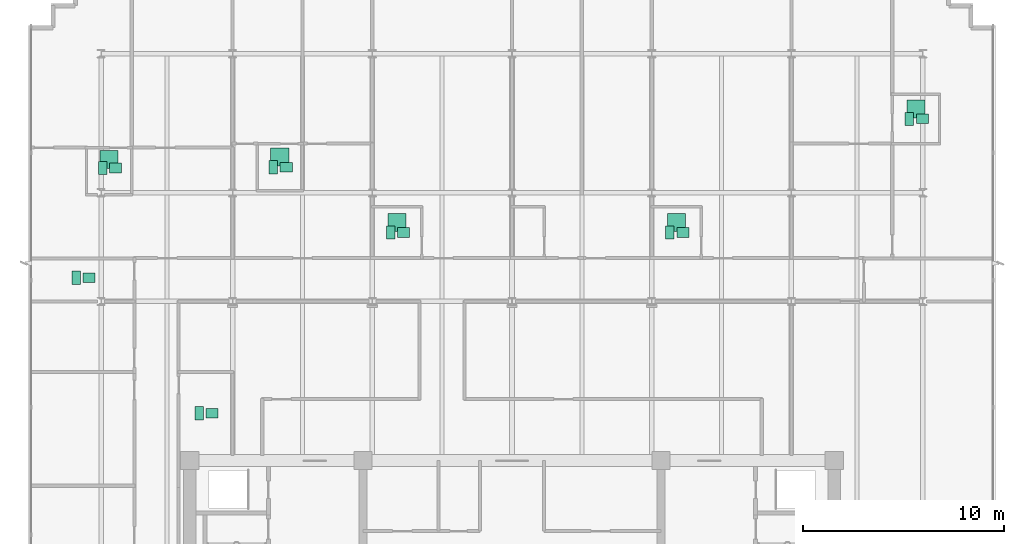
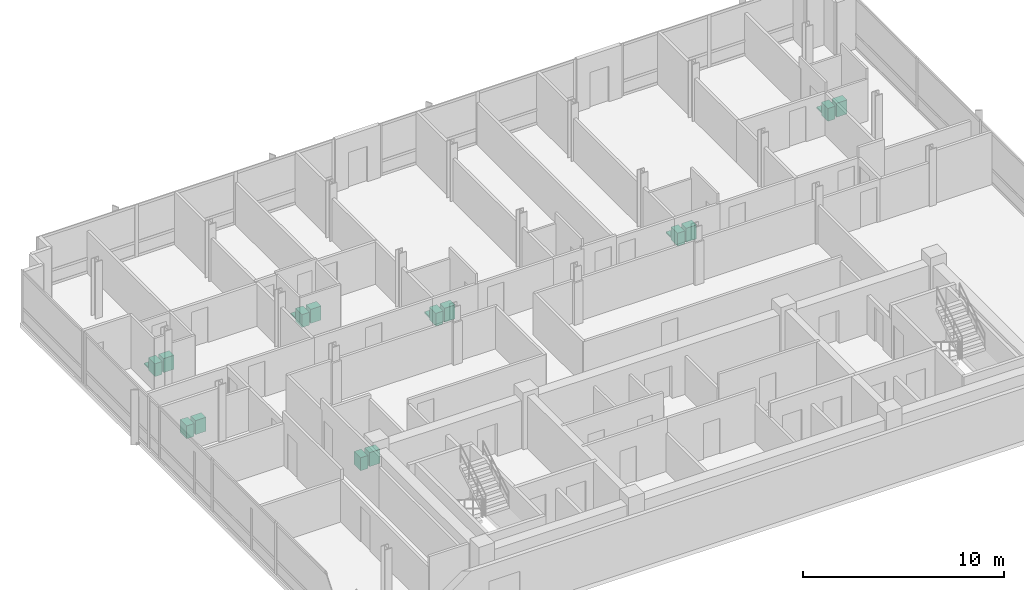
# One storey, part 14 of 14: 19 sanitary terminals.
"""IFC4 building model written with IfcOpenShell, lengths in metres."""

from ifc_helpers import new_model, si_unit, direction, frame, origin, origin_2d, place, context, subcontext, project, spatial, rectangle, extrude, material, type_object, element, save


model = new_model("IFC4")

# Units and contexts
model_context = context("Model", 3, precision=1e-05, world=origin(), true_north=direction((0.0, 1.0)))
body_context = subcontext(model_context, "Body", "Model", "MODEL_VIEW")
ifc_project = project(units=[si_unit("LENGTHUNIT", "METRE"), si_unit("AREAUNIT", "SQUARE_METRE"), si_unit("VOLUMEUNIT", "CUBIC_METRE"), si_unit("PLANEANGLEUNIT", "RADIAN"), si_unit("MASSUNIT", "GRAM", prefix="KILO")], contexts=[model_context])

# Site, building, storey
site_placement = place(None, origin())
site = spatial("IfcSite", under=ifc_project, at=site_placement, CompositionType="ELEMENT")
building_placement = place(site_placement, origin())
building = spatial("IfcBuilding", under=site, at=building_placement, Name="Solmavex Isthmus Hotel", CompositionType="ELEMENT")
storey_placement = place(building_placement, frame((0.0, 0.0, 248.85009765625)))
storey = spatial("IfcBuildingStorey", under=building, at=storey_placement, Name="L67", CompositionType="ELEMENT", Elevation=248.85009765625)

# Sanitary terminals
ifc_material = material(Name="Vitreous china ceramic", Category="ceramic")
sanitary_terminal_type_1 = type_object("IfcSanitaryTerminalType", Name="SAN-BASIN", PredefinedType="WASHHANDBASIN", material=ifc_material)
for number, where, z_axis, x_axis, name in (
    (1, (-19.680908203125, 12.025390625, -0.000244140625), (0.0, 0.0, 1.0), (1.0, 0.0, 0.0), "Vanity Washbasin L67-333"),
    (2, (-11.208984375, 12.06298828125, -0.000244140625), (0.0, 0.0, 1.0), (1.0, 0.0, 0.0), "Vanity Washbasin L67-334"),
    (3, (-5.39111328125, 8.824951171875, -0.000244140625), (0.0, 0.0, 1.0), (1.0, 0.0, 0.0), "Vanity Washbasin L67-335"),
    (4, (8.48095703125, 8.824951171875, -0.000244140625), (0.0, 0.0, 1.0), (1.0, 0.0, 0.0), "Vanity Washbasin L67-336"),
    (5, (20.37109375, 14.462890625, -0.000244140625), (0.0, 0.0, 1.0), (1.0, 0.0, 0.0), "Vanity Washbasin L67-337"),
    (6, (-20.9951171875, 6.577392578125, -0.000244140625), (0.0, 0.0, 1.0), (1.0, 0.0, 0.0), "Vanity Washbasin L67-338"),
    (7, (-14.89111328125, -0.14990234375, -0.000244140625), (0.0, 0.0, 1.0), (1.0, 0.0, 0.0), "Vanity Washbasin L67-339"),
):
    element("IfcSanitaryTerminal", number, at=place(storey_placement, frame(where, z_axis=z_axis, x_axis=x_axis)), inside=storey, type_object=sanitary_terminal_type_1, Name=name, PredefinedType="WASHHANDBASIN", context=body_context, shape_type="SweptSolid", body=[
        extrude(rectangle(XDim=0.60009765625, YDim=0.47998046875, at=origin_2d()), origin(), (0.0, 0.0, 1.0), 0.85009765625),
    ])
sanitary_terminal_type_2 = type_object("IfcSanitaryTerminalType", Name="SAN-SHOWER", PredefinedType="SHOWER", material=ifc_material)
for number, where, z_axis, x_axis, name in (
    (8, (-20.0009765625, 12.443115234375, -0.000244140625), (0.0, 0.0, 1.0), (1.0, 0.0, 0.0), "Walk-In Shower L67-333"),
    (9, (-11.529052734375, 12.56298828125, -0.000244140625), (0.0, 0.0, 1.0), (1.0, 0.0, 0.0), "Walk-In Shower L67-334"),
    (10, (-5.7109375, 9.324951171875, -0.000244140625), (0.0, 0.0, 1.0), (1.0, 0.0, 0.0), "Walk-In Shower L67-335"),
    (11, (8.160888671875, 9.324951171875, -0.000244140625), (0.0, 0.0, 1.0), (1.0, 0.0, 0.0), "Walk-In Shower L67-336"),
    (12, (20.051025390625, 14.962890625, -0.000244140625), (0.0, 0.0, 1.0), (1.0, 0.0, 0.0), "Walk-In Shower L67-337"),
):
    element("IfcSanitaryTerminal", number, at=place(storey_placement, frame(where, z_axis=z_axis, x_axis=x_axis)), inside=storey, type_object=sanitary_terminal_type_2, Name=name, PredefinedType="SHOWER", context=body_context, shape_type="SweptSolid", body=[
        extrude(rectangle(XDim=0.89990234375, YDim=0.89990234375, at=origin_2d()), origin(), (0.0, 0.0, 1.0), 0.080078125),
    ])
sanitary_terminal_type_3 = type_object("IfcSanitaryTerminalType", Name="SAN-WC-SUITE", PredefinedType="TOILETPAN", material=ifc_material)
for number, where, z_axis, x_axis, name in (
    (13, (-20.321044921875, 12.025390625, 0.0), (0.0, 0.0, 1.0), (1.0, 0.0, 0.0), "Water Closet L67-333"),
    (14, (-11.84912109375, 12.06298828125, 0.0), (0.0, 0.0, 1.0), (1.0, 0.0, 0.0), "Water Closet L67-334"),
    (15, (-6.031005859375, 8.824951171875, 0.0), (0.0, 0.0, 1.0), (1.0, 0.0, 0.0), "Water Closet L67-335"),
    (16, (7.841064453125, 8.824951171875, 0.0), (0.0, 0.0, 1.0), (1.0, 0.0, 0.0), "Water Closet L67-336"),
    (17, (19.73095703125, 14.462890625, 0.0), (0.0, 0.0, 1.0), (1.0, 0.0, 0.0), "Water Closet L67-337"),
    (18, (-21.635009765625, 6.577392578125, 0.0), (0.0, 0.0, 1.0), (1.0, 0.0, 0.0), "Water Closet L67-338"),
    (19, (-15.531005859375, -0.14990234375, 0.0), (0.0, 0.0, 1.0), (1.0, 0.0, 0.0), "Water Closet L67-339"),
):
    element("IfcSanitaryTerminal", number, at=place(storey_placement, frame(where, z_axis=z_axis, x_axis=x_axis)), inside=storey, type_object=sanitary_terminal_type_3, Name=name, PredefinedType="TOILETPAN", context=body_context, shape_type="SweptSolid", body=[
        extrude(rectangle(XDim=0.419921875, YDim=0.64990234375, at=origin_2d()), origin(), (0.0, 0.0, 1.0), 0.780029296875),
    ])

save(model, "model.ifc")
